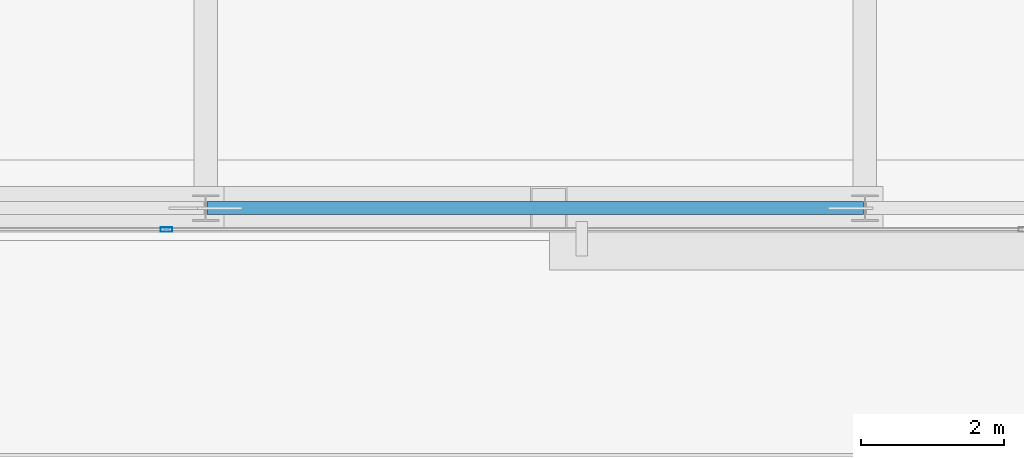
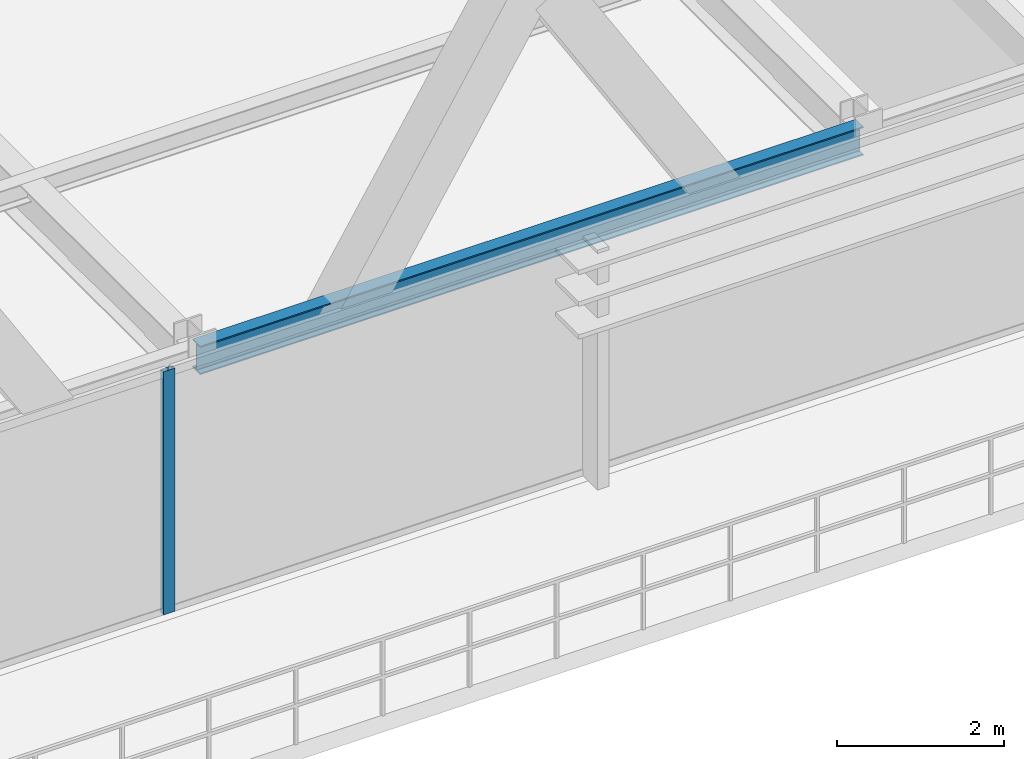
# One storey, part 7 of 33: 1 beam, 1 member, 1 element without a shape of its own.
"""IFC4 building model written with IfcOpenShell, lengths in metres."""

from ifc_helpers import new_model, si_unit, direction, frame, origin, origin_2d, place, context, subcontext, project, spatial, hollow_rectangle, i_section, extrude, source, transform, mapped, material, layer, layer_set, material_profile, profile_set, type_object, type_shapes, element, aggregate, save


model = new_model("IFC4")

# Units and contexts
model_context = context("Model", 3, precision=1e-05, world=origin(), true_north=direction((0.0, 1.0)))
body_context = subcontext(model_context, "Body", "Model", "MODEL_VIEW")
ifc_project = project(units=[si_unit("LENGTHUNIT", "METRE"), si_unit("AREAUNIT", "SQUARE_METRE"), si_unit("VOLUMEUNIT", "CUBIC_METRE"), si_unit("PLANEANGLEUNIT", "RADIAN"), si_unit("MASSUNIT", "GRAM", prefix="KILO")], contexts=[model_context])

# Site, building, storey
site_placement = place(None, origin())
site = spatial("IfcSite", under=ifc_project, at=site_placement, CompositionType="ELEMENT")
building_placement = place(site_placement, origin())
building = spatial("IfcBuilding", under=site, at=building_placement, Name="Varnel Quay Broadcast Tower", CompositionType="ELEMENT")
storey_placement = place(building_placement, frame((0.0, 0.0, 145.800048828125)))
storey = spatial("IfcBuildingStorey", under=building, at=storey_placement, Name="L35", CompositionType="ELEMENT", Elevation=145.800048828125)

# Beam
ifc_material_1 = material(Name="Structural Steel CSA G40.21 350W", Category="steel")
ifc_material_profile_1 = material_profile(ifc_material_1, i_section(OverallWidth=0.180908203125, OverallDepth=0.4169921875, WebThickness=0.010986328125, FlangeThickness=0.018310546875, FilletRadius=0.011962890625, at=origin_2d()), Name="W410X85")
ifc_profile_set_1 = profile_set([ifc_material_profile_1], Name="Structural Steel CSA G40.21 350W")
beam_type = type_object("IfcBeamType", Name="Beam_W410X85", PredefinedType="SPANDREL", material=ifc_profile_set_1)
shared_shape_1 = source(origin(), body_context, "Body", "SweptSolid", [
    extrude(i_section(OverallWidth=0.180908203125, OverallDepth=0.4169921875, WebThickness=0.010986328125, FlangeThickness=0.018310546875, FilletRadius=0.011962890625, at=origin_2d()), origin(), (0.0, 0.0, 1.0), 9.159912109375),
])
type_shapes(beam_type, [shared_shape_1])
beam_placement = place(storey_placement, frame((34.02001953125, 7.64990234375, 3.341552734375), z_axis=(1.0, 0.0, 0.0), x_axis=(0.0, 1.0, 0.0)))
element("IfcBeam", 1, at=beam_placement, inside=storey, type_object=beam_type, Name="L35 South Spandrel TC-S3-TC-S4", PredefinedType="SPANDREL", context=body_context, shape_type="MappedRepresentation", body=[
    mapped(shared_shape_1, transform((0.0, 0.0, 0.0), x_axis=(1.0, 0.0, 0.0), y_axis=(0.0, 1.0, 0.0), z_axis=(0.0, 0.0, 1.0), scale=1.0)),
])

# Curtain wall, member
ifc_material_2 = material(Name="Anodised Bronze Aluminium 6063-T6", Category="aluminium")
ifc_layer = layer(ifc_material_2, 0.18994140625, Name="Anodised Bronze Aluminium 6063-T6")
ifc_layer_set = layer_set([ifc_layer], Name="Anodised Bronze Aluminium 6063-T6")
curtain_wall_type = type_object("IfcCurtainWallType", Name="CW_UpperTower", PredefinedType="NOTDEFINED", material=ifc_layer_set)
curtain_wall_placement = place(storey_placement, origin())
curtain_wall = element("IfcCurtainWall", 2, at=curtain_wall_placement, inside=storey, type_object=curtain_wall_type, Name="L35 South Unitised Curtain Wall 2", PredefinedType="NOTDEFINED")
ifc_material_profile_2 = material_profile(ifc_material_2, hollow_rectangle(XDim=0.06494140625, YDim=0.1650390625, WallThickness=0.00341796875, at=origin_2d()), Name="ALU65X165X3.5")
ifc_profile_set_2 = profile_set([ifc_material_profile_2], Name="Anodised Bronze Aluminium 6063-T6")
member_type = type_object("IfcMemberType", Name="Mull_CWS-03", PredefinedType="MULLION", material=ifc_profile_set_2)
shared_shape_2 = source(origin(), body_context, "Body", "SweptSolid", [
    extrude(hollow_rectangle(XDim=0.06494140625, YDim=0.1650390625, WallThickness=0.00341796875, at=origin_2d()), origin(), (0.0, 0.0, 1.0), 3.550048828125),
])
type_shapes(member_type, [shared_shape_2])
member_placement = place(storey_placement, frame((33.453369140625, 7.35009765625, 0.0), z_axis=(0.0, 0.0, 1.0), x_axis=(0.0, 1.0, 0.0)))
member = element("IfcMember", 3, at=member_placement, type_object=member_type, Name="CWS-03 mullion 2", PredefinedType="MULLION", context=body_context, shape_type="MappedRepresentation", body=[
    mapped(shared_shape_2, transform((0.0, 0.0, 0.0), x_axis=(1.0, 0.0, 0.0), y_axis=(0.0, 1.0, 0.0), z_axis=(0.0, 0.0, 1.0), scale=1.0)),
])
aggregate(curtain_wall, [member])

save(model, "model.ifc")
